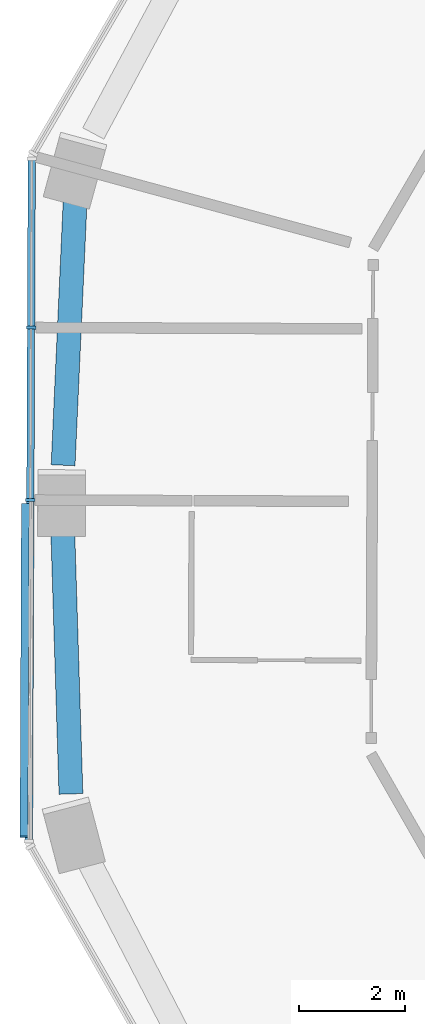
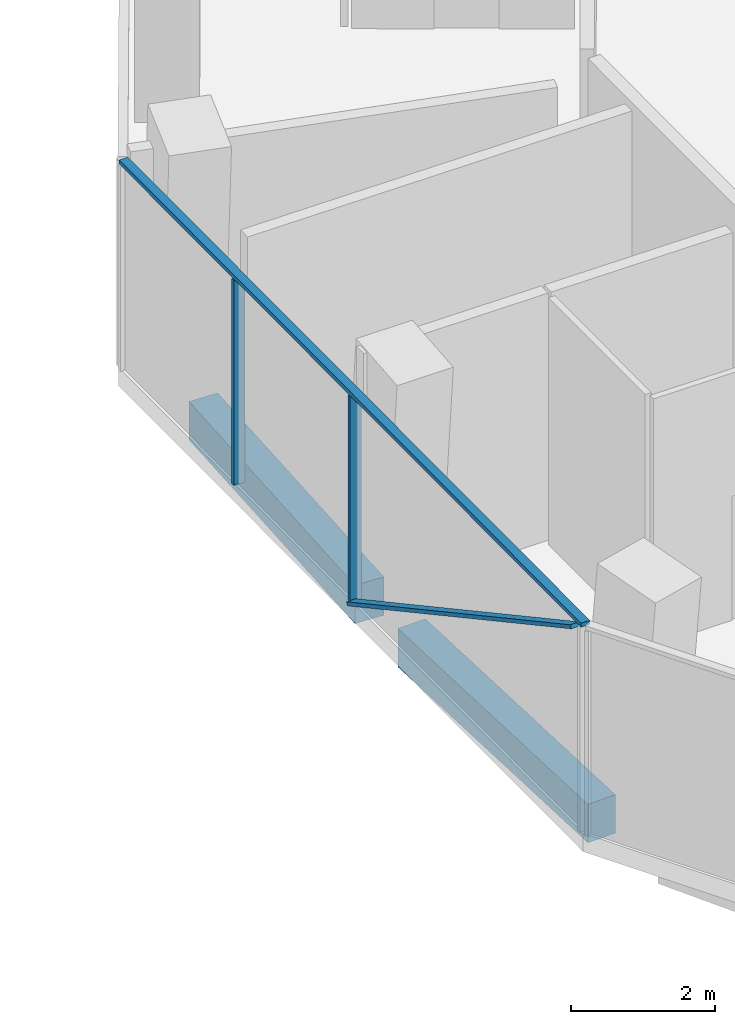
# One storey, part 3 of 16: 4 members, 2 beams, 1 element without a shape of its own.
"""IFC4 building model written with IfcOpenShell, lengths in metres."""

import ifcopenshell
import ifcopenshell.guid

model = None  # the IFC model being written
_history = None  # IfcOwnerHistory: only IFC2X3 demands one
_inside = {}  # id of a spatial element -> (the spatial element, [elements in it])
_under = {}  # id of a project, library or spatial element -> (it, [spatial elements below it])
_declared = {}  # id of a project -> (the project, [libraries it declares])
_typed = {}  # id of a type object -> (the type object, [elements of that type])
_made_of = {}  # id of a material, layer set ... -> (it, [elements and type objects made of it])


def new_model(schema):
    """Start an empty IFC model of exactly this schema.

    Asked for "IFC4X3", IfcOpenShell would pick the latest addendum, in which some entities
    have other attributes; the version numbers below select the first issue.
    IFC2X3 requires an IfcOwnerHistory on every rooted entity: one is made here for all.
    """
    global model, _history
    if schema == "IFC4X3":
        model = ifcopenshell.file(schema_version=(4, 3, 0, 0))
    else:
        model = ifcopenshell.file(schema=schema)
    _inside.clear()
    _under.clear()
    _declared.clear()
    _typed.clear()
    _made_of.clear()
    _history = None
    if model.schema == "IFC2X3":
        org = make("IfcOrganization", Name="unknown")
        user = make(
            "IfcPersonAndOrganization",
            ThePerson=make("IfcPerson", FamilyName="unknown"),
            TheOrganization=org,
        )
        app = make(
            "IfcApplication",
            ApplicationDeveloper=org,
            Version="unknown",
            ApplicationFullName="unknown",
            ApplicationIdentifier="unknown",
        )
        _history = make(
            "IfcOwnerHistory",
            OwningUser=user,
            OwningApplication=app,
            ChangeAction="ADDED",
            CreationDate=0,
        )
    return model


def make(cls, **values):
    """One entity of the class cls with the attributes given. An attribute that is None is left unset."""
    return model.create_entity(
        cls, **{name: value for name, value in values.items() if value is not None}
    )


def rooted(cls, **values):
    """An entity with a GlobalId (a new one), such as an element, a storey or a relation."""
    return make(cls, GlobalId=ifcopenshell.guid.new(), OwnerHistory=_history, **values)


def si_unit(unit_type, name, prefix=None):
    """IfcSIUnit, for example si_unit("LENGTHUNIT", "METRE", prefix="MILLI")."""
    return make("IfcSIUnit", UnitType=unit_type, Prefix=prefix, Name=name)


def assignment(units):
    """IfcUnitAssignment: the units of a project."""
    return None if units is None else make("IfcUnitAssignment", Units=units)


def point(xyz):
    """IfcCartesianPoint."""
    return None if xyz is None else make("IfcCartesianPoint", Coordinates=xyz)


def direction(xyz):
    """IfcDirection."""
    return None if xyz is None else make("IfcDirection", DirectionRatios=xyz)


def frame(location, z_axis=None, x_axis=None):
    """IfcAxis2Placement3D, a coordinate frame: its origin and axes. An axis left out is left unset."""
    return make(
        "IfcAxis2Placement3D",
        Location=point(location),
        Axis=direction(z_axis),
        RefDirection=direction(x_axis),
    )


def frame_2d(location, x_axis=None):
    """IfcAxis2Placement2D, a coordinate frame in the plane: its origin and x axis."""
    return make(
        "IfcAxis2Placement2D", Location=point(location), RefDirection=direction(x_axis)
    )


def origin():
    """The frame at (0, 0, 0) with its axes left unset."""
    return frame((0.0, 0.0, 0.0))


def origin_2d():
    """The frame at (0, 0) in the plane with its x axis left unset."""
    return frame_2d((0.0, 0.0))


def place(relative_to, where):
    """IfcLocalPlacement: puts the frame where relative to a parent placement (None: the world)."""
    return make(
        "IfcLocalPlacement", PlacementRelTo=relative_to, RelativePlacement=where
    )


def context(
    kind, dimensions, precision=None, world=None, true_north=None, identifier=None
):
    """IfcGeometricRepresentationContext, for example the 3D "Model" context."""
    return make(
        "IfcGeometricRepresentationContext",
        ContextIdentifier=identifier,
        ContextType=kind,
        CoordinateSpaceDimension=dimensions,
        Precision=precision,
        WorldCoordinateSystem=world,
        TrueNorth=true_north,
    )


def subcontext(parent, identifier, kind, view, scale=None):
    """IfcGeometricRepresentationSubContext, for example "Body" below "Model"."""
    return make(
        "IfcGeometricRepresentationSubContext",
        ContextIdentifier=identifier,
        ContextType=kind,
        ParentContext=parent,
        TargetScale=scale,
        TargetView=view,
    )


def project(units=None, contexts=None):
    """IfcProject with its units and contexts."""
    return rooted(
        "IfcProject",
        Name="project",
        RepresentationContexts=contexts,
        UnitsInContext=assignment(units),
    )


def spatial(cls, under=None, at=None, **own):
    """A site, building, storey or space (cls), placed at a placement, below another one or the project."""
    s = rooted(cls, ObjectPlacement=at, **own)
    if under is not None:
        _under.setdefault(under.id(), (under, []))[1].append(s)
    return s


def profile(cls, at=None, kind="AREA", **sizes):
    """A parametric profile (cls). Its sizes go by their IFC names, for example OverallWidth=200.0."""
    return make(cls, ProfileType=kind, Position=at, **sizes)


def rectangle(**sizes):
    """IfcRectangleProfileDef."""
    return profile("IfcRectangleProfileDef", **sizes)


def extrude(swept, where, along, depth):
    """IfcExtrudedAreaSolid: the profile swept, set in the frame where, extruded along a direction by depth."""
    return make(
        "IfcExtrudedAreaSolid",
        SweptArea=swept,
        Position=where,
        ExtrudedDirection=direction(along),
        Depth=depth,
    )


def shape(context_of_items, identifier, shape_type, items):
    """IfcShapeRepresentation: the items that make up one representation, for example the "Body"."""
    return make(
        "IfcShapeRepresentation",
        ContextOfItems=context_of_items,
        RepresentationIdentifier=identifier,
        RepresentationType=shape_type,
        Items=items,
    )


def material(Name=None, Category=None):
    """IfcMaterial."""
    return make("IfcMaterial", Name=Name, Category=Category)


def layer(
    of_material, thickness, ventilated=None, Name=None, Category=None, Priority=None
):
    """IfcMaterialLayer: one layer of a wall or slab, of a material (None: an air gap)."""
    return make(
        "IfcMaterialLayer",
        Material=of_material,
        LayerThickness=thickness,
        IsVentilated=ventilated,
        Name=Name,
        Category=Category,
        Priority=Priority,
    )


def layer_set(layers, Name=None):
    """IfcMaterialLayerSet."""
    return make("IfcMaterialLayerSet", MaterialLayers=layers, LayerSetName=Name)


def material_profile(
    of_material, cross_section, Name=None, Category=None, Priority=None
):
    """IfcMaterialProfile: a cross section and its material."""
    return make(
        "IfcMaterialProfile",
        Name=Name,
        Material=of_material,
        Profile=cross_section,
        Priority=Priority,
        Category=Category,
    )


def profile_set(profiles, Name=None, composite=None):
    """IfcMaterialProfileSet."""
    return make(
        "IfcMaterialProfileSet",
        Name=Name,
        MaterialProfiles=profiles,
        CompositeProfile=composite,
    )


def made_of(thing, what):
    """Note that an element or type object is made of a material, layer set ...; save() writes the relation."""
    if what is not None:
        _made_of.setdefault(what.id(), (what, []))[1].append(thing)
    return thing


def type_object(cls, material=None, **own):
    """A type object (cls), such as IfcWallType, which elements share."""
    return made_of(rooted(cls, **own), material)


def element(
    cls,
    number,
    at=None,
    inside=None,
    cuts=None,
    type_object=None,
    material=None,
    context=None,
    identifier="Body",
    shape_type=None,
    held_by="IfcProductDefinitionShape",
    body=None,
    shapes=None,
    **own,
):
    """One element of the class cls, such as IfcWall. Its Tag is "e" and its number.

    at: its placement. inside: the storey or other place that contains it. cuts: it is an
    opening in that element (IfcRelVoidsElement). A single representation is given by context,
    identifier, shape_type and body (its items); several are given by shapes. held_by: the class
    of the entity that holds the representations. save() writes the other relations.
    """
    e = rooted(cls, Tag="e%d" % number, ObjectPlacement=at, **own)
    if body is not None:
        shapes = [shape(context, identifier, shape_type, body)]
    if shapes is not None:
        e.Representation = make(held_by, Representations=shapes)
    if inside is not None:
        _inside.setdefault(inside.id(), (inside, []))[1].append(e)
    if cuts is not None:
        rooted(
            "IfcRelVoidsElement", RelatingBuildingElement=cuts, RelatedOpeningElement=e
        )
    if type_object is not None:
        _typed.setdefault(type_object.id(), (type_object, []))[1].append(e)
    return made_of(e, material)


def aggregate(whole, parts):
    """IfcRelAggregates: a whole, such as a stair, and the parts it consists of."""
    return rooted("IfcRelAggregates", RelatingObject=whole, RelatedObjects=parts)


def save(model, path):
    """Write the relations noted so far, then the file.

    IfcRelAggregates (storeys below a building ...), IfcRelContainedInSpatialStructure (elements
    in a storey), IfcRelDefinesByType, IfcRelAssociatesMaterial and IfcRelDeclares: one each for
    every whole, place, type object, material and project.
    """
    for whole, parts in _under.values():
        aggregate(whole, parts)
    for where, things in _inside.values():
        rooted(
            "IfcRelContainedInSpatialStructure",
            RelatedElements=things,
            RelatingStructure=where,
        )
    for kind, things in _typed.values():
        rooted("IfcRelDefinesByType", RelatedObjects=things, RelatingType=kind)
    for what, things in _made_of.values():
        rooted("IfcRelAssociatesMaterial", RelatedObjects=things, RelatingMaterial=what)
    for by, libraries in _declared.values():
        rooted("IfcRelDeclares", RelatingContext=by, RelatedDefinitions=libraries)
    model.write(path)


model = new_model("IFC4")

# Units and contexts
model_context = context("Model", 3, precision=1e-05, world=origin(), true_north=direction((0.0, 1.0)))
body_context = subcontext(model_context, "Body", "Model", "MODEL_VIEW")
ifc_project = project(units=[si_unit("LENGTHUNIT", "METRE"), si_unit("AREAUNIT", "SQUARE_METRE"), si_unit("VOLUMEUNIT", "CUBIC_METRE"), si_unit("PLANEANGLEUNIT", "RADIAN"), si_unit("MASSUNIT", "GRAM", prefix="KILO")], contexts=[model_context])

# Site, building, storey
site_placement = place(None, origin())
site = spatial("IfcSite", under=ifc_project, at=site_placement, CompositionType="ELEMENT")
building_placement = place(site_placement, origin())
building = spatial("IfcBuilding", under=site, at=building_placement, Name="Verdalira Terraces Hotel", CompositionType="ELEMENT")
storey_placement = place(building_placement, frame((0.0, 0.0, 154.0)))
storey = spatial("IfcBuildingStorey", under=building, at=storey_placement, Name="L37", CompositionType="ELEMENT", Elevation=154.0)

# Curtain wall, members
ifc_material_1 = material(Name="Clear glass", Category="glass")
ifc_layer = layer(ifc_material_1, 0.179931640625)
ifc_layer_set = layer_set([ifc_layer], Name="CW4 curtain wall")
curtain_wall_type = type_object("IfcCurtainWallType", Name="CW4 curtain wall", PredefinedType="NOTDEFINED", material=ifc_layer_set)
curtain_wall_placement = place(storey_placement, origin())
curtain_wall = element("IfcCurtainWall", 1, at=curtain_wall_placement, inside=storey, type_object=curtain_wall_type, Name="CW4 curtain wall L37 edge 12", PredefinedType="NOTDEFINED")
ifc_material_2 = material(Name="Terracotta frame", Category="masonry")
ifc_material_profile_1 = material_profile(ifc_material_2, rectangle(XDim=0.064941, YDim=0.179932, at=origin_2d()), Name="MU 65x180")
ifc_profile_set_1 = profile_set([ifc_material_profile_1], Name="Terracotta frame")
member_type_1 = type_object("IfcMemberType", Name="CW4 mullion 65x180", PredefinedType="MULLION", material=ifc_profile_set_1)
member_1_placement = place(storey_placement, frame((-24.18457, 3.351318, 0.0), z_axis=(0.0, 0.0, 1.0), x_axis=(-0.004188778, -0.999991227, 0.0)))
member_1 = element("IfcMember", 2, at=member_1_placement, type_object=member_type_1, Name="CW4 mullion", PredefinedType="MULLION", context=body_context, shape_type="SweptSolid", body=[
    extrude(rectangle(XDim=0.064941, YDim=0.179932, at=origin_2d()), origin(), (0.0, 0.0, 1.0), 3.469971),
])
member_2_placement = place(storey_placement, frame((-24.197998, 0.101318, 0.0), z_axis=(0.0, 0.0, 1.0), x_axis=(-0.004188778, -0.999991227, 0.0)))
member_2 = element("IfcMember", 3, at=member_2_placement, type_object=member_type_1, Name="CW4 mullion", PredefinedType="MULLION", context=body_context, shape_type="SweptSolid", body=[
    extrude(rectangle(XDim=0.064941, YDim=0.179932, at=origin_2d()), origin(), (0.0, 0.0, 1.0), 3.469971),
])
ifc_material_3 = material(Name="Terracotta frame", Category="masonry")
ifc_material_profile_2 = material_profile(ifc_material_3, rectangle(XDim=0.139893, YDim=0.070068, at=origin_2d()), Name="TR 70x140")
ifc_profile_set_2 = profile_set([ifc_material_profile_2], Name="Terracotta frame")
member_type_2 = type_object("IfcMemberType", Name="CW4 transom 70x140", PredefinedType="USERDEFINED", material=ifc_profile_set_2)
member_3_placement = place(storey_placement, frame((-24.171143, 6.561035, 3.504883), z_axis=(-0.004176236, -0.999991279, 0.0), x_axis=(0.999991279, -0.004176236, 0.0)))
member_3 = element("IfcMember", 4, at=member_3_placement, type_object=member_type_2, Name="CW4 transom", ObjectType="TRANSOM", PredefinedType="USERDEFINED", context=body_context, shape_type="SweptSolid", body=[
    extrude(rectangle(XDim=0.139893, YDim=0.070068, at=origin_2d()), origin(), (0.0, 0.0, 1.0), 12.919434),
])
ifc_material_4 = material(Name="Terracotta frame", Category="masonry")
ifc_material_profile_3 = material_profile(ifc_material_4, rectangle(XDim=0.149902, YDim=0.060059, at=origin_2d()), Name="GB 60x150")
ifc_profile_set_3 = profile_set([ifc_material_profile_3], Name="Terracotta frame")
member_type_3 = type_object("IfcMemberType", Name="Diagonal glazing bar 60x150", PredefinedType="USERDEFINED", material=ifc_profile_set_3)
member_4_placement = place(storey_placement, frame((-24.291504, 0.019287, 0.027344), z_axis=(-0.003662266, -0.877917153, 0.478798559), x_axis=(0.999991299, -0.004171504, 0.0)))
member_4 = element("IfcMember", 5, at=member_4_placement, type_object=member_type_3, Name="Diagonal glazing bar", ObjectType="GLAZING BAR", PredefinedType="USERDEFINED", context=body_context, shape_type="SweptSolid", body=[
    extrude(rectangle(XDim=0.149902, YDim=0.060059, at=origin_2d()), origin(), (0.0, 0.0, 1.0), 7.133057),
])
aggregate(curtain_wall, [member_1, member_2, member_3, member_4])

# Beams
ifc_material_5 = material(Name="Concrete C50", Category="concrete")
ifc_material_profile_4 = material_profile(ifc_material_5, rectangle(XDim=0.449951, YDim=0.649902, at=origin_2d()), Name="RC 450X650")
ifc_profile_set_4 = profile_set([ifc_material_profile_4], Name="Concrete C50")
beam_type = type_object("IfcBeamType", Name="Spandrel beam RC 450X650 C50", PredefinedType="SPANDREL", material=ifc_profile_set_4)
beam_1_placement = place(storey_placement, frame((-23.352295, 5.766113, -0.63501), z_axis=(-0.045513648, -0.998963717, 0.0), x_axis=(0.998963717, -0.045513648, 0.0)))
element("IfcBeam", 6, at=beam_1_placement, inside=storey, type_object=beam_type, Name="Spandrel beam B04", PredefinedType="SPANDREL", context=body_context, shape_type="SweptSolid", body=[
    extrude(rectangle(XDim=0.449951, YDim=0.649902, at=origin_2d()), origin(), (0.0, 0.0, 1.0), 5.015381),
])
beam_2_placement = place(storey_placement, frame((-23.588623, -0.426758, -0.63501), z_axis=(0.031076601, -0.999517006, 0.0), x_axis=(0.999517006, 0.031076601, 0.0)))
element("IfcBeam", 7, at=beam_2_placement, inside=storey, type_object=beam_type, Name="Spandrel beam B05", PredefinedType="SPANDREL", context=body_context, shape_type="SweptSolid", body=[
    extrude(rectangle(XDim=0.449951, YDim=0.649902, at=origin_2d()), origin(), (0.0, 0.0, 1.0), 5.012207),
])

save(model, "model.ifc")
